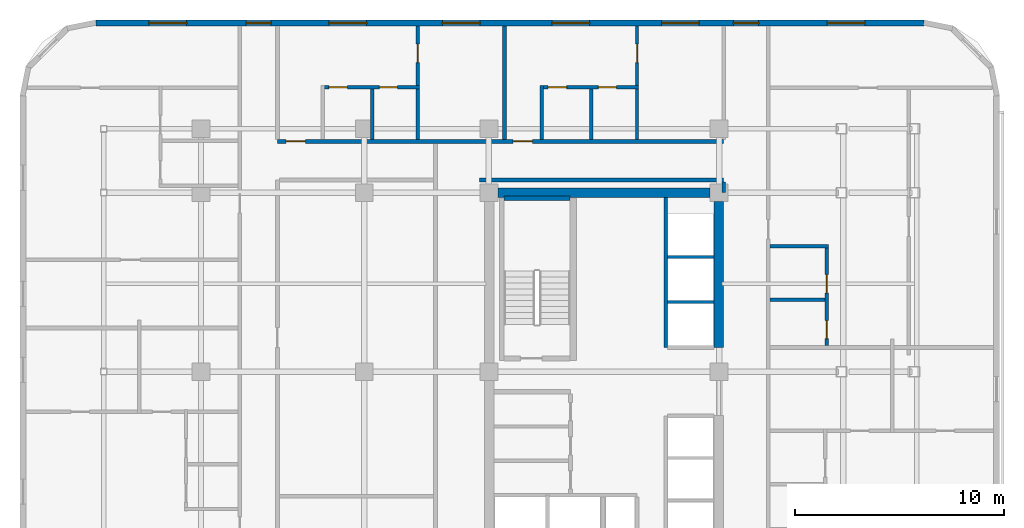
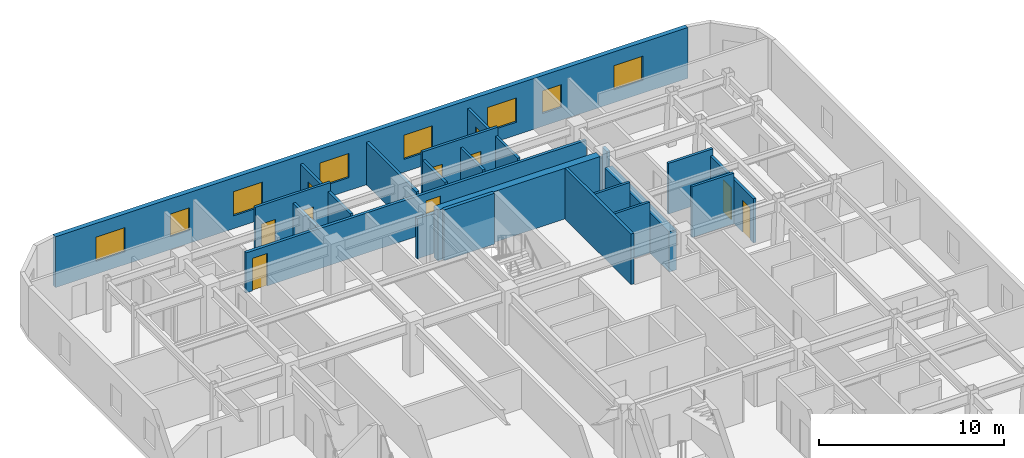
# One storey, part 10 of 15: 21 walls, 10 doors, 8 windows, 18 openings.
"""IFC4 building model written with IfcOpenShell, lengths in metres."""

import ifcopenshell
import ifcopenshell.guid

model = None  # the IFC model being written
_history = None  # IfcOwnerHistory: only IFC2X3 demands one
_inside = {}  # id of a spatial element -> (the spatial element, [elements in it])
_under = {}  # id of a project, library or spatial element -> (it, [spatial elements below it])
_declared = {}  # id of a project -> (the project, [libraries it declares])
_typed = {}  # id of a type object -> (the type object, [elements of that type])
_made_of = {}  # id of a material, layer set ... -> (it, [elements and type objects made of it])


def new_model(schema):
    """Start an empty IFC model of exactly this schema.

    Asked for "IFC4X3", IfcOpenShell would pick the latest addendum, in which some entities
    have other attributes; the version numbers below select the first issue.
    IFC2X3 requires an IfcOwnerHistory on every rooted entity: one is made here for all.
    """
    global model, _history
    if schema == "IFC4X3":
        model = ifcopenshell.file(schema_version=(4, 3, 0, 0))
    else:
        model = ifcopenshell.file(schema=schema)
    _inside.clear()
    _under.clear()
    _declared.clear()
    _typed.clear()
    _made_of.clear()
    _history = None
    if model.schema == "IFC2X3":
        org = make("IfcOrganization", Name="unknown")
        user = make(
            "IfcPersonAndOrganization",
            ThePerson=make("IfcPerson", FamilyName="unknown"),
            TheOrganization=org,
        )
        app = make(
            "IfcApplication",
            ApplicationDeveloper=org,
            Version="unknown",
            ApplicationFullName="unknown",
            ApplicationIdentifier="unknown",
        )
        _history = make(
            "IfcOwnerHistory",
            OwningUser=user,
            OwningApplication=app,
            ChangeAction="ADDED",
            CreationDate=0,
        )
    return model


def make(cls, **values):
    """One entity of the class cls with the attributes given. An attribute that is None is left unset."""
    return model.create_entity(
        cls, **{name: value for name, value in values.items() if value is not None}
    )


def rooted(cls, **values):
    """An entity with a GlobalId (a new one), such as an element, a storey or a relation."""
    return make(cls, GlobalId=ifcopenshell.guid.new(), OwnerHistory=_history, **values)


def si_unit(unit_type, name, prefix=None):
    """IfcSIUnit, for example si_unit("LENGTHUNIT", "METRE", prefix="MILLI")."""
    return make("IfcSIUnit", UnitType=unit_type, Prefix=prefix, Name=name)


def assignment(units):
    """IfcUnitAssignment: the units of a project."""
    return None if units is None else make("IfcUnitAssignment", Units=units)


def point(xyz):
    """IfcCartesianPoint."""
    return None if xyz is None else make("IfcCartesianPoint", Coordinates=xyz)


def direction(xyz):
    """IfcDirection."""
    return None if xyz is None else make("IfcDirection", DirectionRatios=xyz)


def frame(location, z_axis=None, x_axis=None):
    """IfcAxis2Placement3D, a coordinate frame: its origin and axes. An axis left out is left unset."""
    return make(
        "IfcAxis2Placement3D",
        Location=point(location),
        Axis=direction(z_axis),
        RefDirection=direction(x_axis),
    )


def frame_2d(location, x_axis=None):
    """IfcAxis2Placement2D, a coordinate frame in the plane: its origin and x axis."""
    return make(
        "IfcAxis2Placement2D", Location=point(location), RefDirection=direction(x_axis)
    )


def origin():
    """The frame at (0, 0, 0) with its axes left unset."""
    return frame((0.0, 0.0, 0.0))


def place(relative_to, where):
    """IfcLocalPlacement: puts the frame where relative to a parent placement (None: the world)."""
    return make(
        "IfcLocalPlacement", PlacementRelTo=relative_to, RelativePlacement=where
    )


def context(
    kind, dimensions, precision=None, world=None, true_north=None, identifier=None
):
    """IfcGeometricRepresentationContext, for example the 3D "Model" context."""
    return make(
        "IfcGeometricRepresentationContext",
        ContextIdentifier=identifier,
        ContextType=kind,
        CoordinateSpaceDimension=dimensions,
        Precision=precision,
        WorldCoordinateSystem=world,
        TrueNorth=true_north,
    )


def subcontext(parent, identifier, kind, view, scale=None):
    """IfcGeometricRepresentationSubContext, for example "Body" below "Model"."""
    return make(
        "IfcGeometricRepresentationSubContext",
        ContextIdentifier=identifier,
        ContextType=kind,
        ParentContext=parent,
        TargetScale=scale,
        TargetView=view,
    )


def project(units=None, contexts=None):
    """IfcProject with its units and contexts."""
    return rooted(
        "IfcProject",
        Name="project",
        RepresentationContexts=contexts,
        UnitsInContext=assignment(units),
    )


def spatial(cls, under=None, at=None, **own):
    """A site, building, storey or space (cls), placed at a placement, below another one or the project."""
    s = rooted(cls, ObjectPlacement=at, **own)
    if under is not None:
        _under.setdefault(under.id(), (under, []))[1].append(s)
    return s


def profile(cls, at=None, kind="AREA", **sizes):
    """A parametric profile (cls). Its sizes go by their IFC names, for example OverallWidth=200.0."""
    return make(cls, ProfileType=kind, Position=at, **sizes)


def rectangle(**sizes):
    """IfcRectangleProfileDef."""
    return profile("IfcRectangleProfileDef", **sizes)


def extrude(swept, where, along, depth):
    """IfcExtrudedAreaSolid: the profile swept, set in the frame where, extruded along a direction by depth."""
    return make(
        "IfcExtrudedAreaSolid",
        SweptArea=swept,
        Position=where,
        ExtrudedDirection=direction(along),
        Depth=depth,
    )


def shape(context_of_items, identifier, shape_type, items):
    """IfcShapeRepresentation: the items that make up one representation, for example the "Body"."""
    return make(
        "IfcShapeRepresentation",
        ContextOfItems=context_of_items,
        RepresentationIdentifier=identifier,
        RepresentationType=shape_type,
        Items=items,
    )


def material(Name=None, Category=None):
    """IfcMaterial."""
    return make("IfcMaterial", Name=Name, Category=Category)


def layer(
    of_material, thickness, ventilated=None, Name=None, Category=None, Priority=None
):
    """IfcMaterialLayer: one layer of a wall or slab, of a material (None: an air gap)."""
    return make(
        "IfcMaterialLayer",
        Material=of_material,
        LayerThickness=thickness,
        IsVentilated=ventilated,
        Name=Name,
        Category=Category,
        Priority=Priority,
    )


def layer_set(layers, Name=None):
    """IfcMaterialLayerSet."""
    return make("IfcMaterialLayerSet", MaterialLayers=layers, LayerSetName=Name)


def made_of(thing, what):
    """Note that an element or type object is made of a material, layer set ...; save() writes the relation."""
    if what is not None:
        _made_of.setdefault(what.id(), (what, []))[1].append(thing)
    return thing


def type_object(cls, material=None, **own):
    """A type object (cls), such as IfcWallType, which elements share."""
    return made_of(rooted(cls, **own), material)


def element(
    cls,
    number,
    at=None,
    inside=None,
    cuts=None,
    type_object=None,
    material=None,
    context=None,
    identifier="Body",
    shape_type=None,
    held_by="IfcProductDefinitionShape",
    body=None,
    shapes=None,
    **own,
):
    """One element of the class cls, such as IfcWall. Its Tag is "e" and its number.

    at: its placement. inside: the storey or other place that contains it. cuts: it is an
    opening in that element (IfcRelVoidsElement). A single representation is given by context,
    identifier, shape_type and body (its items); several are given by shapes. held_by: the class
    of the entity that holds the representations. save() writes the other relations.
    """
    e = rooted(cls, Tag="e%d" % number, ObjectPlacement=at, **own)
    if body is not None:
        shapes = [shape(context, identifier, shape_type, body)]
    if shapes is not None:
        e.Representation = make(held_by, Representations=shapes)
    if inside is not None:
        _inside.setdefault(inside.id(), (inside, []))[1].append(e)
    if cuts is not None:
        rooted(
            "IfcRelVoidsElement", RelatingBuildingElement=cuts, RelatedOpeningElement=e
        )
    if type_object is not None:
        _typed.setdefault(type_object.id(), (type_object, []))[1].append(e)
    return made_of(e, material)


def fill(opening, filler):
    """IfcRelFillsElement: the door or window that sits in an opening."""
    return rooted(
        "IfcRelFillsElement",
        RelatingOpeningElement=opening,
        RelatedBuildingElement=filler,
    )


def aggregate(whole, parts):
    """IfcRelAggregates: a whole, such as a stair, and the parts it consists of."""
    return rooted("IfcRelAggregates", RelatingObject=whole, RelatedObjects=parts)


def save(model, path):
    """Write the relations noted so far, then the file.

    IfcRelAggregates (storeys below a building ...), IfcRelContainedInSpatialStructure (elements
    in a storey), IfcRelDefinesByType, IfcRelAssociatesMaterial and IfcRelDeclares: one each for
    every whole, place, type object, material and project.
    """
    for whole, parts in _under.values():
        aggregate(whole, parts)
    for where, things in _inside.values():
        rooted(
            "IfcRelContainedInSpatialStructure",
            RelatedElements=things,
            RelatingStructure=where,
        )
    for kind, things in _typed.values():
        rooted("IfcRelDefinesByType", RelatedObjects=things, RelatingType=kind)
    for what, things in _made_of.values():
        rooted("IfcRelAssociatesMaterial", RelatedObjects=things, RelatingMaterial=what)
    for by, libraries in _declared.values():
        rooted("IfcRelDeclares", RelatingContext=by, RelatedDefinitions=libraries)
    model.write(path)


model = new_model("IFC4")

# Units and contexts
model_context = context("Model", 3, precision=1e-05, world=origin(), true_north=direction((0.0, 1.0)))
body_context = subcontext(model_context, "Body", "Model", "MODEL_VIEW")
ifc_project = project(units=[si_unit("LENGTHUNIT", "METRE"), si_unit("AREAUNIT", "SQUARE_METRE"), si_unit("VOLUMEUNIT", "CUBIC_METRE"), si_unit("PLANEANGLEUNIT", "RADIAN"), si_unit("MASSUNIT", "GRAM", prefix="KILO")], contexts=[model_context])

# Site, building, storey
site_placement = place(None, origin())
site = spatial("IfcSite", under=ifc_project, at=site_placement, CompositionType="ELEMENT")
building_placement = place(site_placement, origin())
building = spatial("IfcBuilding", under=site, at=building_placement, Name="Ochreholt Gables", CompositionType="ELEMENT")
storey_placement = place(building_placement, frame((0.0, 0.0, 31.199951171875)))
storey = spatial("IfcBuildingStorey", under=building, at=storey_placement, Name="L07", CompositionType="ELEMENT", Elevation=31.199951171875)

# Walls
ifc_material_1 = material(Name="Concrete 60 MPa", Category="concrete")
ifc_layer_1 = layer(ifc_material_1, 0.449951171875, Name="Concrete 60 MPa")
ifc_layer_set_1 = layer_set([ifc_layer_1], Name="Concrete 60 MPa")
wall_type_1 = type_object("IfcWallType", Name="WALL-CSW-450", PredefinedType="SHEAR", material=ifc_layer_set_1)
wall_1_placement = place(storey_placement, frame((35.175048828125, 31.35009765625, 0.0), z_axis=(0.0, 0.0, 1.0), x_axis=(0.0, 1.0, 0.0)))
element("IfcWall", 1, at=wall_1_placement, inside=storey, type_object=wall_type_1, Name="L07 Core North-East Shear Wall", PredefinedType="SHEAR", context=body_context, shape_type="SweptSolid", body=[
    extrude(rectangle(XDim=6.974853515625, YDim=0.449951171875, at=frame_2d((3.4873046875, 0.0))), origin(), (0.0, 0.0, 1.0), 2.6669921875),
])
wall_2_placement = place(storey_placement, frame((24.625, 38.75, 0.0), z_axis=(0.0, 0.0, 1.0), x_axis=(1.0, 0.0, 0.0)))
element("IfcWall", 2, at=wall_2_placement, inside=storey, type_object=wall_type_1, Name="L07 Core North Shear Wall", PredefinedType="SHEAR", context=body_context, shape_type="SweptSolid", body=[
    extrude(rectangle(XDim=10.14990234375, YDim=0.449951171875, at=frame_2d((5.074951171875, 0.0))), origin(), (0.0, 0.0, 1.0), 3.360107421875),
])

# Wall, openings, windows
ifc_material_2 = material(Name="Precast concrete 40 MPa", Category="concrete")
ifc_layer_2 = layer(ifc_material_2, 0.2900390625, Name="Precast concrete 40 MPa")
ifc_layer_set_2 = layer_set([ifc_layer_2], Name="Precast concrete 40 MPa")
wall_type_2 = type_object("IfcWallType", Name="WALL-EXT-290", PredefinedType="SOLIDWALL", material=ifc_layer_set_2)
wall_3_placement = place(storey_placement, frame((44.97998046875, 46.85498046875, 0.0), z_axis=(0.0, 0.0, 1.0), x_axis=(-1.0, 0.0, 0.0)))
wall_3 = element("IfcWall", 3, at=wall_3_placement, inside=storey, type_object=wall_type_2, Name="L07 North Exterior Wall", PredefinedType="SOLIDWALL", context=body_context, shape_type="SweptSolid", body=[
    extrude(rectangle(XDim=39.56005859375, YDim=0.2900390625, at=frame_2d((19.780029296875, 0.0))), origin(), (0.0, 0.0, 1.0), 3.360107421875),
])
opening_1_placement = place(wall_3_placement, frame((35.219970703125, 0.0, 0.85009765625)))
opening_1 = element("IfcOpeningElement", 4, at=opening_1_placement, cuts=wall_3, Name="Opening WN-1", PredefinedType="OPENING", context=body_context, shape_type="SweptSolid", body=[
    extrude(rectangle(XDim=1.800048828125, YDim=1.60009765625, at=frame_2d((0.89990234375, 0.800048828125))), frame((0.0, 0.155029296875, 0.0), z_axis=(0.0, -1.0, 0.0), x_axis=(1.0, 0.0, 0.0)), (0.0, 0.0, 1.0), 0.31005859375),
])
opening_2_placement = place(wall_3_placement, frame((31.179931640625, 0.0, 0.85009765625)))
opening_2 = element("IfcOpeningElement", 5, at=opening_2_placement, cuts=wall_3, Name="Opening WN-3", PredefinedType="OPENING", context=body_context, shape_type="SweptSolid", body=[
    extrude(rectangle(XDim=1.199951171875, YDim=1.5, at=frame_2d((0.60009765625, 0.75))), frame((0.0, 0.155029296875, 0.0), z_axis=(0.0, -1.0, 0.0), x_axis=(1.0, 0.0, 0.0)), (0.0, 0.0, 1.0), 0.31005859375),
])
opening_3_placement = place(wall_3_placement, frame((26.625244140625, 0.0, 0.85009765625)))
opening_3 = element("IfcOpeningElement", 6, at=opening_3_placement, cuts=wall_3, Name="Opening WN-1", PredefinedType="OPENING", context=body_context, shape_type="SweptSolid", body=[
    extrude(rectangle(XDim=1.800048828125, YDim=1.60009765625, at=frame_2d((0.89990234375, 0.800048828125))), frame((0.0, 0.155029296875, 0.0), z_axis=(0.0, -1.0, 0.0), x_axis=(1.0, 0.0, 0.0)), (0.0, 0.0, 1.0), 0.31005859375),
])
opening_4_placement = place(wall_3_placement, frame((21.200439453125, 0.0, 0.85009765625)))
opening_4 = element("IfcOpeningElement", 7, at=opening_4_placement, cuts=wall_3, Name="Opening WN-1", PredefinedType="OPENING", context=body_context, shape_type="SweptSolid", body=[
    extrude(rectangle(XDim=1.800048828125, YDim=1.60009765625, at=frame_2d((0.89990234375, 0.800048828125))), frame((0.0, 0.155029296875, 0.0), z_axis=(0.0, -1.0, 0.0), x_axis=(1.0, 0.0, 0.0)), (0.0, 0.0, 1.0), 0.31005859375),
])
opening_5_placement = place(wall_3_placement, frame((15.965087890625, 0.0, 0.85009765625)))
opening_5 = element("IfcOpeningElement", 8, at=opening_5_placement, cuts=wall_3, Name="Opening WN-1", PredefinedType="OPENING", context=body_context, shape_type="SweptSolid", body=[
    extrude(rectangle(XDim=1.800048828125, YDim=1.60009765625, at=frame_2d((0.89990234375, 0.800048828125))), frame((0.0, 0.155029296875, 0.0), z_axis=(0.0, -1.0, 0.0), x_axis=(1.0, 0.0, 0.0)), (0.0, 0.0, 1.0), 0.31005859375),
])
opening_6_placement = place(wall_3_placement, frame((10.72998046875, 0.0, 0.85009765625)))
opening_6 = element("IfcOpeningElement", 9, at=opening_6_placement, cuts=wall_3, Name="Opening WN-1", PredefinedType="OPENING", context=body_context, shape_type="SweptSolid", body=[
    extrude(rectangle(XDim=1.800048828125, YDim=1.60009765625, at=frame_2d((0.89990234375, 0.800048828125))), frame((0.0, 0.155029296875, 0.0), z_axis=(0.0, -1.0, 0.0), x_axis=(1.0, 0.0, 0.0)), (0.0, 0.0, 1.0), 0.31005859375),
])
opening_7_placement = place(wall_3_placement, frame((7.89501953125, 0.0, 0.85009765625)))
opening_7 = element("IfcOpeningElement", 10, at=opening_7_placement, cuts=wall_3, Name="Opening WN-3", PredefinedType="OPENING", context=body_context, shape_type="SweptSolid", body=[
    extrude(rectangle(XDim=1.199951171875, YDim=1.5, at=frame_2d((0.60009765625, 0.75))), frame((0.0, 0.155029296875, 0.0), z_axis=(0.0, -1.0, 0.0), x_axis=(1.0, 0.0, 0.0)), (0.0, 0.0, 1.0), 0.31005859375),
])
opening_8_placement = place(wall_3_placement, frame((2.81494140625, 0.0, 0.85009765625)))
opening_8 = element("IfcOpeningElement", 11, at=opening_8_placement, cuts=wall_3, Name="Opening WN-1", PredefinedType="OPENING", context=body_context, shape_type="SweptSolid", body=[
    extrude(rectangle(XDim=1.800048828125, YDim=1.60009765625, at=frame_2d((0.89990234375, 0.800048828125))), frame((0.0, 0.155029296875, 0.0), z_axis=(0.0, -1.0, 0.0), x_axis=(1.0, 0.0, 0.0)), (0.0, 0.0, 1.0), 0.31005859375),
])
ifc_material_3 = material(Name="Triple-Glazed Thermally Broken Aluminium Window", Category="aluminium")
window_type_1 = type_object("IfcWindowType", Name="WIN-RES-1200", PartitioningType="SINGLE_PANEL", PredefinedType="WINDOW", material=ifc_material_3)
window_1_placement = place(opening_2_placement, origin())
window_1 = element("IfcWindow", 12, at=window_1_placement, inside=storey, type_object=window_type_1, Name="L07 Window W-EXT-N-L07-2", OverallHeight=1.5, OverallWidth=1.199951171875, PartitioningType="SINGLE_PANEL", PredefinedType="WINDOW", context=body_context, shape_type="SweptSolid", body=[
    extrude(rectangle(XDim=1.199951171875, YDim=1.5, at=frame_2d((0.60009765625, 0.75))), frame((0.0, 0.030029296875, 0.0), z_axis=(0.0, -1.0, 0.0), x_axis=(1.0, 0.0, 0.0)), (0.0, 0.0, 1.0), 0.06005859375),
])
fill(opening_2, window_1)
window_2_placement = place(opening_7_placement, origin())
window_2 = element("IfcWindow", 13, at=window_2_placement, inside=storey, type_object=window_type_1, Name="L07 Window W-EXT-N-L07-7", OverallHeight=1.5, OverallWidth=1.199951171875, PartitioningType="SINGLE_PANEL", PredefinedType="WINDOW", context=body_context, shape_type="SweptSolid", body=[
    extrude(rectangle(XDim=1.199951171875, YDim=1.5, at=frame_2d((0.60009765625, 0.75))), frame((0.0, 0.030029296875, 0.0), z_axis=(0.0, -1.0, 0.0), x_axis=(1.0, 0.0, 0.0)), (0.0, 0.0, 1.0), 0.06005859375),
])
fill(opening_7, window_2)
window_type_2 = type_object("IfcWindowType", Name="WIN-RES-1800", PartitioningType="SINGLE_PANEL", PredefinedType="WINDOW", material=ifc_material_3)
window_3_placement = place(opening_1_placement, origin())
window_3 = element("IfcWindow", 14, at=window_3_placement, inside=storey, type_object=window_type_2, Name="L07 Window W-EXT-N-L07-1", OverallHeight=1.60009765625, OverallWidth=1.800048828125, PartitioningType="SINGLE_PANEL", PredefinedType="WINDOW", context=body_context, shape_type="SweptSolid", body=[
    extrude(rectangle(XDim=1.800048828125, YDim=1.60009765625, at=frame_2d((0.89990234375, 0.800048828125))), frame((0.0, 0.030029296875, 0.0), z_axis=(0.0, -1.0, 0.0), x_axis=(1.0, 0.0, 0.0)), (0.0, 0.0, 1.0), 0.06005859375),
])
fill(opening_1, window_3)
window_4_placement = place(opening_3_placement, origin())
window_4 = element("IfcWindow", 15, at=window_4_placement, inside=storey, type_object=window_type_2, Name="L07 Window W-EXT-N-L07-3", OverallHeight=1.60009765625, OverallWidth=1.800048828125, PartitioningType="SINGLE_PANEL", PredefinedType="WINDOW", context=body_context, shape_type="SweptSolid", body=[
    extrude(rectangle(XDim=1.800048828125, YDim=1.60009765625, at=frame_2d((0.89990234375, 0.800048828125))), frame((0.0, 0.030029296875, 0.0), z_axis=(0.0, -1.0, 0.0), x_axis=(1.0, 0.0, 0.0)), (0.0, 0.0, 1.0), 0.06005859375),
])
fill(opening_3, window_4)
window_5_placement = place(opening_4_placement, origin())
window_5 = element("IfcWindow", 16, at=window_5_placement, inside=storey, type_object=window_type_2, Name="L07 Window W-EXT-N-L07-4", OverallHeight=1.60009765625, OverallWidth=1.800048828125, PartitioningType="SINGLE_PANEL", PredefinedType="WINDOW", context=body_context, shape_type="SweptSolid", body=[
    extrude(rectangle(XDim=1.800048828125, YDim=1.60009765625, at=frame_2d((0.89990234375, 0.800048828125))), frame((0.0, 0.030029296875, 0.0), z_axis=(0.0, -1.0, 0.0), x_axis=(1.0, 0.0, 0.0)), (0.0, 0.0, 1.0), 0.06005859375),
])
fill(opening_4, window_5)
window_6_placement = place(opening_5_placement, origin())
window_6 = element("IfcWindow", 17, at=window_6_placement, inside=storey, type_object=window_type_2, Name="L07 Window W-EXT-N-L07-5", OverallHeight=1.60009765625, OverallWidth=1.800048828125, PartitioningType="SINGLE_PANEL", PredefinedType="WINDOW", context=body_context, shape_type="SweptSolid", body=[
    extrude(rectangle(XDim=1.800048828125, YDim=1.60009765625, at=frame_2d((0.89990234375, 0.800048828125))), frame((0.0, 0.030029296875, 0.0), z_axis=(0.0, -1.0, 0.0), x_axis=(1.0, 0.0, 0.0)), (0.0, 0.0, 1.0), 0.06005859375),
])
fill(opening_5, window_6)
window_7_placement = place(opening_6_placement, origin())
window_7 = element("IfcWindow", 18, at=window_7_placement, inside=storey, type_object=window_type_2, Name="L07 Window W-EXT-N-L07-6", OverallHeight=1.60009765625, OverallWidth=1.800048828125, PartitioningType="SINGLE_PANEL", PredefinedType="WINDOW", context=body_context, shape_type="SweptSolid", body=[
    extrude(rectangle(XDim=1.800048828125, YDim=1.60009765625, at=frame_2d((0.89990234375, 0.800048828125))), frame((0.0, 0.030029296875, 0.0), z_axis=(0.0, -1.0, 0.0), x_axis=(1.0, 0.0, 0.0)), (0.0, 0.0, 1.0), 0.06005859375),
])
fill(opening_6, window_7)
window_8_placement = place(opening_8_placement, origin())
window_8 = element("IfcWindow", 19, at=window_8_placement, inside=storey, type_object=window_type_2, Name="L07 Window W-EXT-N-L07-8", OverallHeight=1.60009765625, OverallWidth=1.800048828125, PartitioningType="SINGLE_PANEL", PredefinedType="WINDOW", context=body_context, shape_type="SweptSolid", body=[
    extrude(rectangle(XDim=1.800048828125, YDim=1.60009765625, at=frame_2d((0.89990234375, 0.800048828125))), frame((0.0, 0.030029296875, 0.0), z_axis=(0.0, -1.0, 0.0), x_axis=(1.0, 0.0, 0.0)), (0.0, 0.0, 1.0), 0.06005859375),
])
fill(opening_8, window_8)

# Wall, openings, doors
ifc_material_4 = material(Name="Fire-Rated Gypsum Acoustic Partition", Category="gypsum")
ifc_layer_3 = layer(ifc_material_4, 0.179931640625, Name="Fire-Rated Gypsum Acoustic Partition")
ifc_layer_set_3 = layer_set([ifc_layer_3], Name="Fire-Rated Gypsum Acoustic Partition")
wall_type_3 = type_object("IfcWallType", Name="WALL-INT-CR180", PredefinedType="STANDARD", material=ifc_layer_set_3)
wall_4_placement = place(storey_placement, frame((14.10009765625, 41.199951171875, 0.0), z_axis=(0.0, 0.0, 1.0), x_axis=(1.0, 0.0, 0.0)))
wall_4 = element("IfcWall", 20, at=wall_4_placement, inside=storey, type_object=wall_type_3, Name="L07 Interior Wall WI-C1N-L07", PredefinedType="STANDARD", context=body_context, shape_type="SweptSolid", body=[
    extrude(rectangle(XDim=21.31982421875, YDim=0.179931640625, at=frame_2d((10.659912109375, 0.0))), origin(), (0.0, 0.0, 1.0), 2.649169921875),
])
opening_9_placement = place(wall_4_placement, frame((0.409912109375, 0.0, 0.0)))
opening_9 = element("IfcOpeningElement", 21, at=opening_9_placement, cuts=wall_4, Name="Opening D-UN1", PredefinedType="OPENING", context=body_context, shape_type="SweptSolid", body=[
    extrude(rectangle(XDim=0.919921875, YDim=2.14990234375, at=frame_2d((0.4599609375, 1.074951171875))), frame((0.0, 0.099853515625, 0.0), z_axis=(0.0, -1.0, 0.0), x_axis=(1.0, 0.0, 0.0)), (0.0, 0.0, 1.0), 0.199951171875),
])
opening_10_placement = place(wall_4_placement, frame((11.259521484375, 0.0, 0.0)))
opening_10 = element("IfcOpeningElement", 22, at=opening_10_placement, cuts=wall_4, Name="Opening D-UN1", PredefinedType="OPENING", context=body_context, shape_type="SweptSolid", body=[
    extrude(rectangle(XDim=0.919921875, YDim=2.14990234375, at=frame_2d((0.4599609375, 1.074951171875))), frame((0.0, 0.099853515625, 0.0), z_axis=(0.0, -1.0, 0.0), x_axis=(1.0, 0.0, 0.0)), (0.0, 0.0, 1.0), 0.199951171875),
])
ifc_material_5 = material(Name="Engineered Oak Timber", Category="wood")
door_type_1 = type_object("IfcDoorType", Name="DR-INT-UNT920", OperationType="NOTDEFINED", PredefinedType="DOOR", material=ifc_material_5)
door_1_placement = place(opening_9_placement, origin())
door_1 = element("IfcDoor", 23, at=door_1_placement, inside=storey, type_object=door_type_1, Name="L07 Door D-U-L07N1-ENT", OperationType="SINGLE_SWING_LEFT", OverallHeight=2.14990234375, OverallWidth=0.919921875, PredefinedType="DOOR", context=body_context, shape_type="SweptSolid", body=[
    extrude(rectangle(XDim=0.919921875, YDim=2.14990234375, at=frame_2d((0.4599609375, 1.074951171875))), frame((0.0, 0.02490234375, 0.0), z_axis=(0.0, -1.0, 0.0), x_axis=(1.0, 0.0, 0.0)), (0.0, 0.0, 1.0), 0.050048828125),
])
fill(opening_9, door_1)
door_2_placement = place(opening_10_placement, origin())
door_2 = element("IfcDoor", 24, at=door_2_placement, inside=storey, type_object=door_type_1, Name="L07 Door D-U-L07N2-ENT", OperationType="SINGLE_SWING_LEFT", OverallHeight=2.14990234375, OverallWidth=0.919921875, PredefinedType="DOOR", context=body_context, shape_type="SweptSolid", body=[
    extrude(rectangle(XDim=0.919921875, YDim=2.14990234375, at=frame_2d((0.4599609375, 1.074951171875))), frame((0.0, 0.02490234375, 0.0), z_axis=(0.0, -1.0, 0.0), x_axis=(1.0, 0.0, 0.0)), (0.0, 0.0, 1.0), 0.050048828125),
])
fill(opening_10, door_2)

# Walls
wall_5_placement = place(storey_placement, frame((23.75, 39.35009765625, 0.0), z_axis=(0.0, 0.0, 1.0), x_axis=(1.0, 0.0, 0.0)))
element("IfcWall", 25, at=wall_5_placement, inside=storey, type_object=wall_type_3, Name="L07 Interior Wall WI-C1N2-L07", PredefinedType="STANDARD", context=body_context, shape_type="SweptSolid", body=[
    extrude(rectangle(XDim=11.669921875, YDim=0.179931640625, at=frame_2d((5.8349609375, 0.0))), origin(), (0.0, 0.0, 1.0), 2.649169921875),
])
wall_6_placement = place(storey_placement, frame((35.419921875, 38.75, 0.0), z_axis=(0.0, 0.0, 1.0), x_axis=(0.0, 1.0, 0.0)))
element("IfcWall", 26, at=wall_6_placement, inside=storey, type_object=wall_type_3, Name="L07 Interior Wall WI-C1ENW2-L07", PredefinedType="STANDARD", context=body_context, shape_type="SweptSolid", body=[
    extrude(rectangle(XDim=0.510009765625, YDim=0.179931640625, at=frame_2d((0.2548828125, 0.0))), origin(), (0.0, 0.0, 1.0), 3.360107421875),
])
ifc_material_6 = material(Name="Double-Stud Acoustic Demising Wall", Category="gypsum")
ifc_layer_4 = layer(ifc_material_6, 0.179931640625, Name="Double-Stud Acoustic Demising Wall")
ifc_layer_set_4 = layer_set([ifc_layer_4], Name="Double-Stud Acoustic Demising Wall")
wall_type_4 = type_object("IfcWallType", Name="WALL-INT-DM180", PredefinedType="PARTITIONING", material=ifc_layer_set_4)
wall_7_placement = place(storey_placement, frame((24.94970703125, 41.2900390625, 0.0), z_axis=(0.0, 0.0, 1.0), x_axis=(0.0, 1.0, 0.0)))
element("IfcWall", 27, at=wall_7_placement, inside=storey, type_object=wall_type_4, Name="L07 Interior Wall WI-UDN-L07", PredefinedType="PARTITIONING", context=body_context, shape_type="SweptSolid", body=[
    extrude(rectangle(XDim=5.419921875, YDim=0.179931640625, at=frame_2d((2.7099609375, 0.0))), origin(), (0.0, 0.0, 1.0), 2.80908203125),
])
ifc_material_7 = material(Name="Moisture-Resistant Plumbing Chase Wall", Category="gypsum")
ifc_layer_5 = layer(ifc_material_7, 0.159912109375, Name="Moisture-Resistant Plumbing Chase Wall")
ifc_layer_set_5 = layer_set([ifc_layer_5], Name="Moisture-Resistant Plumbing Chase Wall")
wall_type_5 = type_object("IfcWallType", Name="WALL-INT-PL160", PredefinedType="PLUMBINGWALL", material=ifc_layer_set_5)
wall_8_placement = place(storey_placement, frame((37.639892578125, 36.185546875, 0.0), z_axis=(0.0, 0.0, 1.0), x_axis=(1.0, 0.0, 0.0)))
element("IfcWall", 28, at=wall_8_placement, inside=storey, type_object=wall_type_5, Name="L07 Interior Wall WU-L07E3-FYN", PredefinedType="PLUMBINGWALL", context=body_context, shape_type="SweptSolid", body=[
    extrude(rectangle(XDim=2.7880859375, YDim=0.159912109375, at=frame_2d((1.39404296875, 0.0))), origin(), (0.0, 0.0, 1.0), 3.360107421875),
])

# Wall, openings, doors
wall_9_placement = place(storey_placement, frame((40.347900390625, 31.449951171875, 0.0), z_axis=(0.0, 0.0, 1.0), x_axis=(0.0, 1.0, 0.0)))
wall_9 = element("IfcWall", 29, at=wall_9_placement, inside=storey, type_object=wall_type_5, Name="L07 Interior Wall WU-L07E3-WX", PredefinedType="PLUMBINGWALL", context=body_context, shape_type="SweptSolid", body=[
    extrude(rectangle(XDim=4.825439453125, YDim=0.159912109375, at=frame_2d((2.41259765625, 0.0))), origin(), (0.0, 0.0, 1.0), 2.93212890625),
])
opening_11_placement = place(wall_9_placement, frame((0.330078125, 0.0, 0.0)))
opening_11 = element("IfcOpeningElement", 30, at=opening_11_placement, cuts=wall_9, Name="Opening D-BT1", PredefinedType="OPENING", context=body_context, shape_type="SweptSolid", body=[
    extrude(rectangle(XDim=0.860107421875, YDim=2.1201171875, at=frame_2d((0.43017578125, 1.06005859375))), frame((0.0, 0.08984375, 0.0), z_axis=(0.0, -1.0, 0.0), x_axis=(1.0, 0.0, 0.0)), (0.0, 0.0, 1.0), 0.179931640625),
])
opening_12_placement = place(wall_9_placement, frame((2.50830078125, 0.0, 0.0)))
opening_12 = element("IfcOpeningElement", 31, at=opening_12_placement, cuts=wall_9, Name="Opening D-GN2", PredefinedType="OPENING", context=body_context, shape_type="SweptSolid", body=[
    extrude(rectangle(XDim=0.8798828125, YDim=2.1201171875, at=frame_2d((0.43994140625, 1.06005859375))), frame((0.0, 0.08984375, 0.0), z_axis=(0.0, -1.0, 0.0), x_axis=(1.0, 0.0, 0.0)), (0.0, 0.0, 1.0), 0.179931640625),
])
door_type_2 = type_object("IfcDoorType", Name="DR-INT-BTH860", OperationType="NOTDEFINED", PredefinedType="DOOR", material=ifc_material_5)
door_3_placement = place(opening_11_placement, origin())
door_3 = element("IfcDoor", 32, at=door_3_placement, inside=storey, type_object=door_type_2, Name="L07 Door D-U-L07E3-BTH", OperationType="SINGLE_SWING_LEFT", OverallHeight=2.1201171875, OverallWidth=0.860107421875, PredefinedType="DOOR", context=body_context, shape_type="SweptSolid", body=[
    extrude(rectangle(XDim=0.860107421875, YDim=2.1201171875, at=frame_2d((0.43017578125, 1.06005859375))), frame((0.0, 0.02490234375, 0.0), z_axis=(0.0, -1.0, 0.0), x_axis=(1.0, 0.0, 0.0)), (0.0, 0.0, 1.0), 0.050048828125),
])
fill(opening_11, door_3)
door_type_3 = type_object("IfcDoorType", Name="DR-INT-GEN880", OperationType="NOTDEFINED", PredefinedType="DOOR", material=ifc_material_5)
door_4_placement = place(opening_12_placement, origin())
door_4 = element("IfcDoor", 33, at=door_4_placement, inside=storey, type_object=door_type_3, Name="L07 Door D-U-L07E3-KIT", OperationType="SINGLE_SWING_RIGHT", OverallHeight=2.1201171875, OverallWidth=0.8798828125, PredefinedType="DOOR", context=body_context, shape_type="SweptSolid", body=[
    extrude(rectangle(XDim=0.8798828125, YDim=2.1201171875, at=frame_2d((0.43994140625, 1.06005859375))), frame((0.0, 0.02490234375, 0.0), z_axis=(0.0, -1.0, 0.0), x_axis=(1.0, 0.0, 0.0)), (0.0, 0.0, 1.0), 0.050048828125),
])
fill(opening_12, door_4)

# Wall
wall_10_placement = place(storey_placement, frame((37.639892578125, 33.62841796875, 0.0), z_axis=(0.0, 0.0, 1.0), x_axis=(1.0, 0.0, 0.0)))
element("IfcWall", 34, at=wall_10_placement, inside=storey, type_object=wall_type_5, Name="L07 Interior Wall WU-L07E3-WK", PredefinedType="PLUMBINGWALL", context=body_context, shape_type="SweptSolid", body=[
    extrude(rectangle(XDim=2.628173828125, YDim=0.159912109375, at=frame_2d((1.31396484375, 0.0))), origin(), (0.0, 0.0, 1.0), 3.360107421875),
])

# Wall, openings, doors
wall_11_placement = place(storey_placement, frame((16.1796875, 43.78759765625, 0.0), z_axis=(0.0, 0.0, 1.0), x_axis=(1.0, 0.0, 0.0)))
wall_11 = element("IfcWall", 35, at=wall_11_placement, inside=storey, type_object=wall_type_5, Name="L07 Interior Wall WU-L07N1-WY", PredefinedType="PLUMBINGWALL", context=body_context, shape_type="SweptSolid", body=[
    extrude(rectangle(XDim=4.7099609375, YDim=0.159912109375, at=frame_2d((2.35498046875, 0.0))), origin(), (0.0, 0.0, 1.0), 3.360107421875),
])
opening_13_placement = place(wall_11_placement, frame((0.3798828125, 0.0, 0.0)))
opening_13 = element("IfcOpeningElement", 36, at=opening_13_placement, cuts=wall_11, Name="Opening D-GN2", PredefinedType="OPENING", context=body_context, shape_type="SweptSolid", body=[
    extrude(rectangle(XDim=0.8798828125, YDim=2.1201171875, at=frame_2d((0.43994140625, 1.06005859375))), frame((0.0, 0.08984375, 0.0), z_axis=(0.0, -1.0, 0.0), x_axis=(1.0, 0.0, 0.0)), (0.0, 0.0, 1.0), 0.179931640625),
])
opening_14_placement = place(wall_11_placement, frame((2.785888671875, 0.0, 0.0)))
opening_14 = element("IfcOpeningElement", 37, at=opening_14_placement, cuts=wall_11, Name="Opening D-BT1", PredefinedType="OPENING", context=body_context, shape_type="SweptSolid", body=[
    extrude(rectangle(XDim=0.860107421875, YDim=2.1201171875, at=frame_2d((0.43017578125, 1.06005859375))), frame((0.0, 0.08984375, 0.0), z_axis=(0.0, -1.0, 0.0), x_axis=(1.0, 0.0, 0.0)), (0.0, 0.0, 1.0), 0.179931640625),
])
door_5_placement = place(opening_14_placement, origin())
door_5 = element("IfcDoor", 38, at=door_5_placement, inside=storey, type_object=door_type_2, Name="L07 Door D-U-L07N1-BTH", OperationType="SINGLE_SWING_LEFT", OverallHeight=2.1201171875, OverallWidth=0.860107421875, PredefinedType="DOOR", context=body_context, shape_type="SweptSolid", body=[
    extrude(rectangle(XDim=0.860107421875, YDim=2.1201171875, at=frame_2d((0.43017578125, 1.06005859375))), frame((0.0, 0.02490234375, 0.0), z_axis=(0.0, -1.0, 0.0), x_axis=(1.0, 0.0, 0.0)), (0.0, 0.0, 1.0), 0.050048828125),
])
fill(opening_14, door_5)
door_6_placement = place(opening_13_placement, origin())
door_6 = element("IfcDoor", 39, at=door_6_placement, inside=storey, type_object=door_type_3, Name="L07 Door D-U-L07N1-KIT", OperationType="SINGLE_SWING_RIGHT", OverallHeight=2.1201171875, OverallWidth=0.8798828125, PredefinedType="DOOR", context=body_context, shape_type="SweptSolid", body=[
    extrude(rectangle(XDim=0.8798828125, YDim=2.1201171875, at=frame_2d((0.43994140625, 1.06005859375))), frame((0.0, 0.02490234375, 0.0), z_axis=(0.0, -1.0, 0.0), x_axis=(1.0, 0.0, 0.0)), (0.0, 0.0, 1.0), 0.050048828125),
])
fill(opening_13, door_6)

# Wall
wall_12_placement = place(storey_placement, frame((18.62548828125, 41.2900390625, 0.0), z_axis=(0.0, 0.0, 1.0), x_axis=(0.0, 1.0, 0.0)))
element("IfcWall", 40, at=wall_12_placement, inside=storey, type_object=wall_type_5, Name="L07 Interior Wall WU-L07N1-WK", PredefinedType="PLUMBINGWALL", context=body_context, shape_type="SweptSolid", body=[
    extrude(rectangle(XDim=2.41748046875, YDim=0.159912109375, at=frame_2d((1.208740234375, 0.0))), origin(), (0.0, 0.0, 1.0), 2.80908203125),
])

# Wall, openings, doors
wall_13_placement = place(storey_placement, frame((26.64990234375, 43.78759765625, 0.0), z_axis=(0.0, 0.0, 1.0), x_axis=(1.0, 0.0, 0.0)))
wall_13 = element("IfcWall", 41, at=wall_13_placement, inside=storey, type_object=wall_type_5, Name="L07 Interior Wall WU-L07N2-WY", PredefinedType="PLUMBINGWALL", context=body_context, shape_type="SweptSolid", body=[
    extrude(rectangle(XDim=4.710205078125, YDim=0.159912109375, at=frame_2d((2.35498046875, 0.0))), origin(), (0.0, 0.0, 1.0), 3.360107421875),
])
opening_15_placement = place(wall_13_placement, frame((0.3798828125, 0.0, 0.0)))
opening_15 = element("IfcOpeningElement", 42, at=opening_15_placement, cuts=wall_13, Name="Opening D-GN2", PredefinedType="OPENING", context=body_context, shape_type="SweptSolid", body=[
    extrude(rectangle(XDim=0.8798828125, YDim=2.1201171875, at=frame_2d((0.43994140625, 1.06005859375))), frame((0.0, 0.08984375, 0.0), z_axis=(0.0, -1.0, 0.0), x_axis=(1.0, 0.0, 0.0)), (0.0, 0.0, 1.0), 0.179931640625),
])
opening_16_placement = place(wall_13_placement, frame((2.785888671875, 0.0, 0.0)))
opening_16 = element("IfcOpeningElement", 43, at=opening_16_placement, cuts=wall_13, Name="Opening D-BT1", PredefinedType="OPENING", context=body_context, shape_type="SweptSolid", body=[
    extrude(rectangle(XDim=0.860107421875, YDim=2.1201171875, at=frame_2d((0.43017578125, 1.06005859375))), frame((0.0, 0.08984375, 0.0), z_axis=(0.0, -1.0, 0.0), x_axis=(1.0, 0.0, 0.0)), (0.0, 0.0, 1.0), 0.179931640625),
])
door_7_placement = place(opening_16_placement, origin())
door_7 = element("IfcDoor", 44, at=door_7_placement, inside=storey, type_object=door_type_2, Name="L07 Door D-U-L07N2-BTH", OperationType="SINGLE_SWING_LEFT", OverallHeight=2.1201171875, OverallWidth=0.860107421875, PredefinedType="DOOR", context=body_context, shape_type="SweptSolid", body=[
    extrude(rectangle(XDim=0.860107421875, YDim=2.1201171875, at=frame_2d((0.43017578125, 1.06005859375))), frame((0.0, 0.02490234375, 0.0), z_axis=(0.0, -1.0, 0.0), x_axis=(1.0, 0.0, 0.0)), (0.0, 0.0, 1.0), 0.050048828125),
])
fill(opening_16, door_7)
door_8_placement = place(opening_15_placement, origin())
door_8 = element("IfcDoor", 45, at=door_8_placement, inside=storey, type_object=door_type_3, Name="L07 Door D-U-L07N2-KIT", OperationType="SINGLE_SWING_RIGHT", OverallHeight=2.1201171875, OverallWidth=0.8798828125, PredefinedType="DOOR", context=body_context, shape_type="SweptSolid", body=[
    extrude(rectangle(XDim=0.8798828125, YDim=2.1201171875, at=frame_2d((0.43994140625, 1.06005859375))), frame((0.0, 0.02490234375, 0.0), z_axis=(0.0, -1.0, 0.0), x_axis=(1.0, 0.0, 0.0)), (0.0, 0.0, 1.0), 0.050048828125),
])
fill(opening_15, door_8)

# Walls
wall_14_placement = place(storey_placement, frame((26.72998046875, 41.2900390625, 0.0), z_axis=(0.0, 0.0, 1.0), x_axis=(0.0, 1.0, 0.0)))
element("IfcWall", 46, at=wall_14_placement, inside=storey, type_object=wall_type_5, Name="L07 Interior Wall WU-L07N2-FY", PredefinedType="PLUMBINGWALL", context=body_context, shape_type="SweptSolid", body=[
    extrude(rectangle(XDim=2.577392578125, YDim=0.159912109375, at=frame_2d((1.28857421875, 0.0))), origin(), (0.0, 0.0, 1.0), 2.80908203125),
])
wall_15_placement = place(storey_placement, frame((29.095947265625, 41.2900390625, 0.0), z_axis=(0.0, 0.0, 1.0), x_axis=(0.0, 1.0, 0.0)))
element("IfcWall", 47, at=wall_15_placement, inside=storey, type_object=wall_type_5, Name="L07 Interior Wall WU-L07N2-WK", PredefinedType="PLUMBINGWALL", context=body_context, shape_type="SweptSolid", body=[
    extrude(rectangle(XDim=2.41748046875, YDim=0.159912109375, at=frame_2d((1.208740234375, 0.0))), origin(), (0.0, 0.0, 1.0), 2.80908203125),
])

# Wall, opening, door
ifc_material_8 = material(Name="Gypsum Acoustic Stud Partition", Category="gypsum")
ifc_layer_6 = layer(ifc_material_8, 0.159912109375, Name="Gypsum Acoustic Stud Partition")
ifc_layer_set_6 = layer_set([ifc_layer_6], Name="Gypsum Acoustic Stud Partition")
wall_type_6 = type_object("IfcWallType", Name="WALL-INT-PT160", PredefinedType="PARTITIONING", material=ifc_layer_set_6)
wall_16_placement = place(storey_placement, frame((20.8095703125, 41.2900390625, 0.0), z_axis=(0.0, 0.0, 1.0), x_axis=(0.0, 1.0, 0.0)))
wall_16 = element("IfcWall", 48, at=wall_16_placement, inside=storey, type_object=wall_type_6, Name="L07 Interior Wall WU-L07N1-MNX", PredefinedType="PARTITIONING", context=body_context, shape_type="SweptSolid", body=[
    extrude(rectangle(XDim=5.419921875, YDim=0.159912109375, at=frame_2d((2.7099609375, 0.0))), origin(), (0.0, 0.0, 1.0), 2.80908203125),
])
opening_17_placement = place(wall_16_placement, frame((3.6787109375, 0.0, 0.0)))
opening_17 = element("IfcOpeningElement", 49, at=opening_17_placement, cuts=wall_16, Name="Opening D-BD2", PredefinedType="OPENING", context=body_context, shape_type="SweptSolid", body=[
    extrude(rectangle(XDim=0.8798828125, YDim=2.139892578125, at=frame_2d((0.43994140625, 1.06982421875))), frame((0.0, 0.08984375, 0.0), z_axis=(0.0, -1.0, 0.0), x_axis=(1.0, 0.0, 0.0)), (0.0, 0.0, 1.0), 0.179931640625),
])
door_type_4 = type_object("IfcDoorType", Name="DR-INT-BED880", OperationType="NOTDEFINED", PredefinedType="DOOR", material=ifc_material_5)
door_9_placement = place(opening_17_placement, origin())
door_9 = element("IfcDoor", 50, at=door_9_placement, inside=storey, type_object=door_type_4, Name="L07 Door D-U-L07N1-BD1", OperationType="SINGLE_SWING_RIGHT", OverallHeight=2.139892578125, OverallWidth=0.8798828125, PredefinedType="DOOR", context=body_context, shape_type="SweptSolid", body=[
    extrude(rectangle(XDim=0.8798828125, YDim=2.139892578125, at=frame_2d((0.43994140625, 1.06982421875))), frame((0.0, 0.02490234375, 0.0), z_axis=(0.0, -1.0, 0.0), x_axis=(1.0, 0.0, 0.0)), (0.0, 0.0, 1.0), 0.050048828125),
])
fill(opening_17, door_9)

wall_17_placement = place(storey_placement, frame((31.280029296875, 41.2900390625, 0.0), z_axis=(0.0, 0.0, 1.0), x_axis=(0.0, 1.0, 0.0)))
wall_17 = element("IfcWall", 51, at=wall_17_placement, inside=storey, type_object=wall_type_6, Name="L07 Interior Wall WU-L07N2-MNX", PredefinedType="PARTITIONING", context=body_context, shape_type="SweptSolid", body=[
    extrude(rectangle(XDim=5.419921875, YDim=0.159912109375, at=frame_2d((2.7099609375, 0.0))), origin(), (0.0, 0.0, 1.0), 2.80908203125),
])
opening_18_placement = place(wall_17_placement, frame((3.6787109375, 0.0, 0.0)))
opening_18 = element("IfcOpeningElement", 52, at=opening_18_placement, cuts=wall_17, Name="Opening D-BD2", PredefinedType="OPENING", context=body_context, shape_type="SweptSolid", body=[
    extrude(rectangle(XDim=0.8798828125, YDim=2.139892578125, at=frame_2d((0.43994140625, 1.06982421875))), frame((0.0, 0.08984375, 0.0), z_axis=(0.0, -1.0, 0.0), x_axis=(1.0, 0.0, 0.0)), (0.0, 0.0, 1.0), 0.179931640625),
])
door_10_placement = place(opening_18_placement, origin())
door_10 = element("IfcDoor", 53, at=door_10_placement, inside=storey, type_object=door_type_4, Name="L07 Door D-U-L07N2-BD1", OperationType="SINGLE_SWING_RIGHT", OverallHeight=2.139892578125, OverallWidth=0.8798828125, PredefinedType="DOOR", context=body_context, shape_type="SweptSolid", body=[
    extrude(rectangle(XDim=0.8798828125, YDim=2.139892578125, at=frame_2d((0.43994140625, 1.06982421875))), frame((0.0, 0.02490234375, 0.0), z_axis=(0.0, -1.0, 0.0), x_axis=(1.0, 0.0, 0.0)), (0.0, 0.0, 1.0), 0.050048828125),
])
fill(opening_18, door_10)

# Walls
ifc_material_9 = material(Name="Gypsum Shaftliner and Steel Stud", Category="steel")
ifc_layer_7 = layer(ifc_material_9, 0.14990234375, Name="Gypsum Shaftliner and Steel Stud")
ifc_layer_set_7 = layer_set([ifc_layer_7], Name="Gypsum Shaftliner and Steel Stud")
wall_type_7 = type_object("IfcWallType", Name="WALL-INT-SH150", PredefinedType="STANDARD", material=ifc_layer_set_7)
for number, where, z_axis, x_axis, name in (
    (54, (32.739990234375, 33.52001953125, 0.0), (0.0, 0.0, 1.0), (1.0, 0.0, 0.0), "L07 Interior Wall WI-LFM-D1-L07"),
    (55, (32.739990234375, 35.669921875, 0.0), (0.0, 0.0, 1.0), (1.0, 0.0, 0.0), "L07 Interior Wall WI-LFM-D2-L07"),
):
    element("IfcWall", number, at=place(storey_placement, frame(where, z_axis=z_axis, x_axis=x_axis)), inside=storey, type_object=wall_type_7, Name=name, PredefinedType="STANDARD", context=body_context, shape_type="SweptSolid", body=[
        extrude(rectangle(XDim=2.2099609375, YDim=0.14990234375, at=frame_2d((1.10498046875, 0.0))), origin(), (0.0, 0.0, 1.0), 3.360107421875),
    ])
ifc_layer_8 = layer(ifc_material_9, 0.179931640625, Name="Gypsum Shaftliner and Steel Stud")
ifc_layer_set_8 = layer_set([ifc_layer_8], Name="Gypsum Shaftliner and Steel Stud")
wall_type_8 = type_object("IfcWallType", Name="WALL-INT-SH180", PredefinedType="STANDARD", material=ifc_layer_set_8)
wall_18_placement = place(storey_placement, frame((32.64990234375, 31.35009765625, 0.0), z_axis=(0.0, 0.0, 1.0), x_axis=(0.0, 1.0, 0.0)))
element("IfcWall", 56, at=wall_18_placement, inside=storey, type_object=wall_type_8, Name="L07 Interior Wall WI-LFM-FR-L07", PredefinedType="STANDARD", context=body_context, shape_type="SweptSolid", body=[
    extrude(rectangle(XDim=7.1748046875, YDim=0.179931640625, at=frame_2d((3.58740234375, 0.0))), origin(), (0.0, 0.0, 1.0), 3.360107421875),
])
ifc_material_10 = material(Name="Concrete 50 MPa", Category="concrete")
ifc_layer_9 = layer(ifc_material_10, 0.219970703125, Name="Concrete 50 MPa")
ifc_layer_set_9 = layer_set([ifc_layer_9], Name="Concrete 50 MPa")
wall_type_9 = type_object("IfcWallType", Name="WALL-STW-220", PredefinedType="SHEAR", material=ifc_layer_set_9)
wall_19_placement = place(storey_placement, frame((24.919921875, 38.489990234375, 0.0), z_axis=(0.0, 0.0, 1.0), x_axis=(1.0, 0.0, 0.0)))
element("IfcWall", 57, at=wall_19_placement, inside=storey, type_object=wall_type_9, Name="L07 Exit Stair 2 North Wall", PredefinedType="SHEAR", context=body_context, shape_type="SweptSolid", body=[
    extrude(rectangle(XDim=3.16015625, YDim=0.219970703125, at=frame_2d((1.580078125, 0.0))), origin(), (0.0, 0.0, 1.0), 3.360107421875),
])

save(model, "model.ifc")
